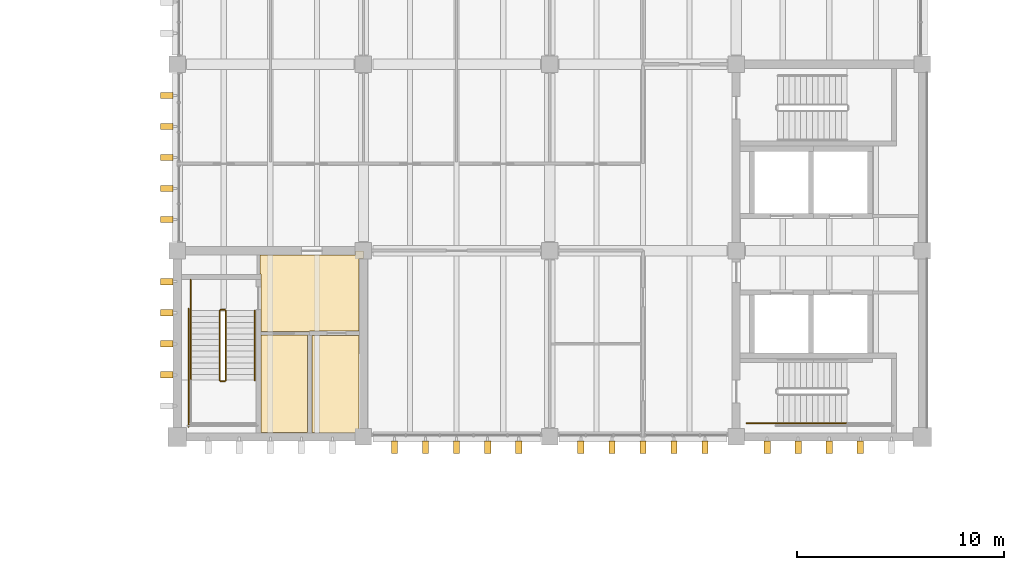
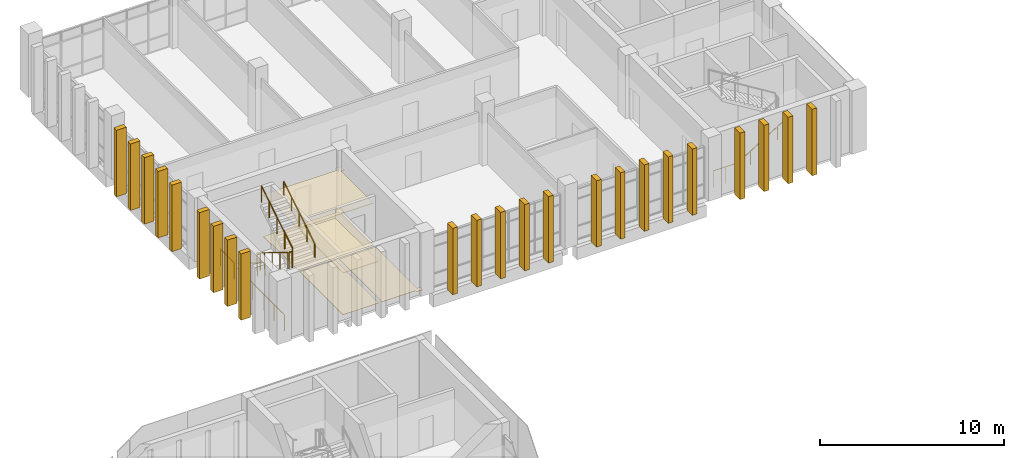
# One storey, part 47 of 50: 23 shading devices, 10 railings, 5 coverings.
"""IFC4 building model written with IfcOpenShell, lengths in metres."""

from ifc_helpers import new_model, si_unit, direction, frame, origin, origin_2d, place, context, subcontext, project, spatial, polyline, circle, outline, extrude, source, transform, mapped, material, layer, layer_set, type_object, element, save


model = new_model("IFC4")

# Units and contexts
model_context = context("Model", 3, precision=1e-05, world=origin(), true_north=direction((0.0, 1.0)))
body_context = subcontext(model_context, "Body", "Model", "MODEL_VIEW")
ifc_project = project(units=[si_unit("LENGTHUNIT", "METRE"), si_unit("AREAUNIT", "SQUARE_METRE"), si_unit("VOLUMEUNIT", "CUBIC_METRE"), si_unit("PLANEANGLEUNIT", "RADIAN"), si_unit("MASSUNIT", "GRAM", prefix="KILO")], contexts=[model_context])

# Site, building, storey
site_placement = place(None, origin())
site = spatial("IfcSite", under=ifc_project, at=site_placement, CompositionType="ELEMENT")
building_placement = place(site_placement, origin())
building = spatial("IfcBuilding", under=site, at=building_placement, Name="Merrow Basin Faculty of Sciences", CompositionType="ELEMENT")
storey_placement = place(building_placement, frame((0.0, 0.0, 18.0)))
storey = spatial("IfcBuildingStorey", under=building, at=storey_placement, Name="L04", CompositionType="ELEMENT", Elevation=18.0)

# Coverings
ifc_material_1 = material(Name="Carpet tile floor")
ifc_layer_1 = layer(ifc_material_1, 0.02001953125)
ifc_layer_set_1 = layer_set([ifc_layer_1], Name="Carpet tile floor")
covering_type_1 = type_object("IfcCoveringType", Name="Carpet tile floor", PredefinedType="FLOORING", material=ifc_layer_set_1)
covering_1_placement = place(storey_placement, origin())
element("IfcCovering", 1, at=covering_1_placement, inside=storey, type_object=covering_type_1, Name="Floor finish L04-T-011", PredefinedType="FLOORING", context=body_context, shape_type="SweptSolid", body=[
    extrude(outline(polyline([(26.989990234375, 142.110107421875), (26.610107421875, 142.110107421875), (26.610107421875, 142.2099609375), (24.510009765625, 142.2099609375), (24.510009765625, 146.889892578125), (26.7900390625, 146.889892578125), (26.7900390625, 142.389892578125), (26.989990234375, 142.389892578125), (26.989990234375, 142.110107421875)])), origin(), (0.0, 0.0, 1.0), 0.02001953125),
])
ifc_material_2 = material(Name="Ceramic floor tile")
ifc_layer_2 = layer(ifc_material_2, 0.02001953125)
ifc_layer_set_2 = layer_set([ifc_layer_2], Name="Ceramic floor tile")
covering_type_2 = type_object("IfcCoveringType", Name="Ceramic floor tile", PredefinedType="FLOORING", material=ifc_layer_set_2)
covering_2_placement = place(storey_placement, origin())
element("IfcCovering", 2, at=covering_2_placement, inside=storey, type_object=covering_type_2, Name="Floor finish L04-T-010", PredefinedType="FLOORING", context=body_context, shape_type="SweptSolid", body=[
    extrude(outline(polyline([(22.06005859375, 146.9150390625), (24.2900390625, 146.9150390625), (24.2900390625, 142.2099609375), (22.06005859375, 142.2099609375), (22.06005859375, 146.9150390625)])), origin(), (0.0, 0.0, 1.0), 0.02001953125),
])
ifc_material_3 = material(Name="Polished terrazzo floor")
ifc_layer_3 = layer(ifc_material_3, 0.02001953125)
ifc_layer_set_3 = layer_set([ifc_layer_3], Name="Polished terrazzo floor")
covering_type_3 = type_object("IfcCoveringType", Name="Polished terrazzo floor", PredefinedType="FLOORING", material=ifc_layer_set_3)
covering_3_placement = place(storey_placement, origin())
element("IfcCovering", 3, at=covering_3_placement, inside=storey, type_object=covering_type_3, Name="Floor finish L04-T-009", PredefinedType="FLOORING", context=body_context, shape_type="SweptSolid", body=[
    extrude(outline(polyline([(26.989990234375, 150.989990234375), (26.989990234375, 150.610107421875), (26.7900390625, 150.610107421875), (26.7900390625, 147.110107421875), (24.389892578125, 147.110107421875), (24.389892578125, 147.0849609375), (22.06005859375, 147.0849609375), (22.06005859375, 149.860107421875), (22.010009765625, 149.860107421875), (22.010009765625, 150.7900390625), (26.610107421875, 150.7900390625), (26.610107421875, 150.989990234375), (26.989990234375, 150.989990234375)])), origin(), (0.0, 0.0, 1.0), 0.02001953125),
])

# Railings
ifc_material_4 = material(Name="Steel ASTM A36", Category="steel")
railing_type_1 = type_object("IfcRailingType", Name="Steel guard 1100", PredefinedType="GUARDRAIL", material=ifc_material_4)
railing_1_placement = place(storey_placement, frame((45.5, 142.64990234375, 0.0)))
element("IfcRailing", 4, at=railing_1_placement, inside=storey, type_object=railing_type_1, Name="L04 ST-V5-N stair guard 6", PredefinedType="GUARDRAIL", context=body_context, shape_type="SweptSolid", body=[
    extrude(circle(Radius=0.02392578125, at=origin_2d()), frame((0.0, 0.0, 1.076171875), z_axis=(1.0, 0.0, 0.0), x_axis=(0.0, 1.0, 0.0)), (0.0, 0.0, 1.0), 1.5),
    extrude(circle(Radius=0.02099609375, at=origin_2d()), origin(), (0.0, 0.0, 1.0), 1.052001953125),
    extrude(circle(Radius=0.02099609375, at=origin_2d()), frame((0.75, 0.0, 0.0)), (0.0, 0.0, 1.0), 1.052001953125),
    extrude(circle(Radius=0.02099609375, at=origin_2d()), frame((1.5, 0.0, 0.0)), (0.0, 0.0, 1.0), 1.052001953125),
])
railing_2_placement = place(storey_placement, frame((20.050048828125, 148.10009765625, 0.173095703125)))
element("IfcRailing", 5, at=railing_2_placement, inside=storey, type_object=railing_type_1, Name="L04 ST-V5-W stair guard 1", PredefinedType="GUARDRAIL", context=body_context, shape_type="SweptSolid", body=[
    extrude(circle(Radius=0.02392578125, at=origin_2d()), frame((0.0, 0.0, 1.076171875), z_axis=(0.0, -0.850623216509, 0.525775754039), x_axis=(1.0, 0.0, 0.0)), (0.0, 0.0, 1.0), 3.9501953125),
    extrude(circle(Radius=0.02099609375, at=origin_2d()), origin(), (0.0, 0.0, 1.0), 1.052001953125),
    extrude(circle(Radius=0.02099609375, at=origin_2d()), frame((0.0, -0.840087890625, 0.519287109375)), (0.0, 0.0, 1.0), 1.052001953125),
    extrude(circle(Radius=0.02099609375, at=origin_2d()), frame((0.0, -1.68017578125, 1.03857421875)), (0.0, 0.0, 1.0), 1.052001953125),
    extrude(circle(Radius=0.02099609375, at=origin_2d()), frame((0.0, -2.52001953125, 1.5576171875)), (0.0, 0.0, 1.0), 1.052001953125),
    extrude(circle(Radius=0.02099609375, at=origin_2d()), frame((0.0, -3.360107421875, 2.076904296875)), (0.0, 0.0, 1.0), 1.052001953125),
])
railing_3_placement = place(storey_placement, frame((20.10009765625, 144.68994140625, 2.25)))
element("IfcRailing", 6, at=railing_3_placement, inside=storey, type_object=railing_type_1, Name="L04 ST-V5-W stair guard 2", PredefinedType="GUARDRAIL", context=body_context, shape_type="SweptSolid", body=[
    extrude(circle(Radius=0.02392578125, at=origin_2d()), frame((0.0, 0.0, 1.076171875), z_axis=(1.0, 0.0, 0.0), x_axis=(0.0, 1.0, 0.0)), (0.0, 0.0, 1.0), 0.199951171875),
    extrude(circle(Radius=0.02099609375, at=origin_2d()), origin(), (0.0, 0.0, 1.0), 1.052001953125),
    extrude(circle(Radius=0.02099609375, at=origin_2d()), frame((0.199951171875, 0.0, 0.0)), (0.0, 0.0, 1.0), 1.052001953125),
])
railing_4_placement = place(storey_placement, frame((20.35009765625, 144.739990234375, 2.423095703125)))
element("IfcRailing", 7, at=railing_4_placement, inside=storey, type_object=railing_type_1, Name="L04 ST-V5-W stair guard 5", PredefinedType="GUARDRAIL", context=body_context, shape_type="SweptSolid", body=[
    extrude(circle(Radius=0.02392578125, at=origin_2d()), frame((0.0, 0.0, 1.076171875), z_axis=(0.0, 0.850623216509, 0.525775754039), x_axis=(-1.0, 0.0, 0.0)), (0.0, 0.0, 1.0), 3.9501953125),
    extrude(circle(Radius=0.02099609375, at=origin_2d()), origin(), (0.0, 0.0, 1.0), 1.052001953125),
    extrude(circle(Radius=0.02099609375, at=origin_2d()), frame((0.0, 0.840087890625, 0.519287109375)), (0.0, 0.0, 1.0), 1.052001953125),
    extrude(circle(Radius=0.02099609375, at=origin_2d()), frame((0.0, 1.68017578125, 1.03857421875)), (0.0, 0.0, 1.0), 1.052001953125),
    extrude(circle(Radius=0.02099609375, at=origin_2d()), frame((0.0, 2.52001953125, 1.5576171875)), (0.0, 0.0, 1.0), 1.052001953125),
    extrude(circle(Radius=0.02099609375, at=origin_2d()), frame((0.0, 3.360107421875, 2.076904296875)), (0.0, 0.0, 1.0), 1.052001953125),
])
railing_5_placement = place(storey_placement, frame((20.10009765625, 148.14990234375, 0.0)))
element("IfcRailing", 8, at=railing_5_placement, inside=storey, type_object=railing_type_1, Name="L04 ST-V5-W stair guard 6", PredefinedType="GUARDRAIL", context=body_context, shape_type="SweptSolid", body=[
    extrude(circle(Radius=0.02392578125, at=origin_2d()), frame((0.0, 0.0, 1.076171875), z_axis=(1.0, 0.0, 0.0), x_axis=(0.0, 1.0, 0.0)), (0.0, 0.0, 1.0), 0.199951171875),
    extrude(circle(Radius=0.02099609375, at=origin_2d()), origin(), (0.0, 0.0, 1.0), 1.052001953125),
    extrude(circle(Radius=0.02099609375, at=origin_2d()), frame((0.199951171875, 0.0, 0.0)), (0.0, 0.0, 1.0), 1.052001953125),
])
railing_6_placement = place(storey_placement, frame((18.64990234375, 149.60009765625, 0.0)))
element("IfcRailing", 9, at=railing_6_placement, inside=storey, type_object=railing_type_1, Name="L04 ST-V5-W stair guard 7", PredefinedType="GUARDRAIL", context=body_context, shape_type="SweptSolid", body=[
    extrude(circle(Radius=0.02392578125, at=origin_2d()), frame((0.0, 0.0, 1.076171875), z_axis=(0.0, -1.0, 0.0), x_axis=(1.0, 0.0, 0.0)), (0.0, 0.0, 1.0), 1.5),
    extrude(circle(Radius=0.02099609375, at=origin_2d()), origin(), (0.0, 0.0, 1.0), 1.052001953125),
    extrude(circle(Radius=0.02099609375, at=origin_2d()), frame((0.0, -0.75, 0.0)), (0.0, 0.0, 1.0), 1.052001953125),
    extrude(circle(Radius=0.02099609375, at=origin_2d()), frame((0.0, -1.5, 0.0)), (0.0, 0.0, 1.0), 1.052001953125),
])
railing_7_placement = place(storey_placement, frame((18.550048828125, 148.199951171875, 0.0)))
element("IfcRailing", 10, at=railing_7_placement, inside=storey, type_object=railing_type_1, Name="L04 ST-V5-W stair guard 8", PredefinedType="GUARDRAIL", context=body_context, shape_type="SweptSolid", body=[
    extrude(circle(Radius=0.02392578125, at=origin_2d()), frame((0.0, 0.0, 1.076171875), z_axis=(0.0, -1.0, 0.0), x_axis=(1.0, 0.0, 0.0)), (0.0, 0.0, 1.0), 5.699951171875),
    extrude(circle(Radius=0.02099609375, at=origin_2d()), origin(), (0.0, 0.0, 1.0), 1.052001953125),
    extrude(circle(Radius=0.02099609375, at=origin_2d()), frame((0.0, -1.139892578125, 0.0)), (0.0, 0.0, 1.0), 1.052001953125),
    extrude(circle(Radius=0.02099609375, at=origin_2d()), frame((0.0, -2.280029296875, 0.0)), (0.0, 0.0, 1.0), 1.052001953125),
    extrude(circle(Radius=0.02099609375, at=origin_2d()), frame((0.0, -3.419921875, 0.0)), (0.0, 0.0, 1.0), 1.052001953125),
    extrude(circle(Radius=0.02099609375, at=origin_2d()), frame((0.0, -4.56005859375, 0.0)), (0.0, 0.0, 1.0), 1.052001953125),
    extrude(circle(Radius=0.02099609375, at=origin_2d()), frame((0.0, -5.699951171875, 0.0)), (0.0, 0.0, 1.0), 1.052001953125),
])
ifc_material_5 = material(Name="Steel ASTM A36", Category="steel")
railing_type_2 = type_object("IfcRailingType", Name="Steel handrail 900", PredefinedType="HANDRAIL", material=ifc_material_5)
railing_8_placement = place(storey_placement, frame((47.0, 142.64990234375, 0.173095703125)))
element("IfcRailing", 11, at=railing_8_placement, inside=storey, type_object=railing_type_2, Name="L04 ST-V5-N stair handrail 1", PredefinedType="HANDRAIL", context=body_context, shape_type="SweptSolid", body=[
    extrude(circle(Radius=0.02392578125, at=origin_2d()), frame((0.0, 0.0, 0.8759765625), z_axis=(0.850623216509, 0.0, 0.525775754039), x_axis=(0.0, 1.0, 0.0)), (0.0, 0.0, 1.0), 3.9501953125),
    extrude(circle(Radius=0.02099609375, at=origin_2d()), origin(), (0.0, 0.0, 1.0), 0.851806640625),
    extrude(circle(Radius=0.02099609375, at=origin_2d()), frame((0.840087890625, 0.0, 0.519287109375)), (0.0, 0.0, 1.0), 0.851806640625),
    extrude(circle(Radius=0.02099609375, at=origin_2d()), frame((1.68017578125, 0.0, 1.03857421875)), (0.0, 0.0, 1.0), 0.851806640625),
    extrude(circle(Radius=0.02099609375, at=origin_2d()), frame((2.52001953125, 0.0, 1.5576171875)), (0.0, 0.0, 1.0), 0.851806640625),
    extrude(circle(Radius=0.02099609375, at=origin_2d()), frame((3.360107421875, 0.0, 2.076904296875)), (0.0, 0.0, 1.0), 0.851806640625),
])
railing_9_placement = place(storey_placement, frame((18.64990234375, 148.10009765625, 0.173095703125)))
element("IfcRailing", 12, at=railing_9_placement, inside=storey, type_object=railing_type_2, Name="L04 ST-V5-W stair handrail 1", PredefinedType="HANDRAIL", context=body_context, shape_type="SweptSolid", body=[
    extrude(circle(Radius=0.02392578125, at=origin_2d()), frame((0.0, 0.0, 0.8759765625), z_axis=(0.0, -0.850623216509, 0.525775754039), x_axis=(1.0, 0.0, 0.0)), (0.0, 0.0, 1.0), 3.9501953125),
    extrude(circle(Radius=0.02099609375, at=origin_2d()), origin(), (0.0, 0.0, 1.0), 0.851806640625),
    extrude(circle(Radius=0.02099609375, at=origin_2d()), frame((0.0, -0.840087890625, 0.519287109375)), (0.0, 0.0, 1.0), 0.851806640625),
    extrude(circle(Radius=0.02099609375, at=origin_2d()), frame((0.0, -1.68017578125, 1.03857421875)), (0.0, 0.0, 1.0), 0.851806640625),
    extrude(circle(Radius=0.02099609375, at=origin_2d()), frame((0.0, -2.52001953125, 1.5576171875)), (0.0, 0.0, 1.0), 0.851806640625),
    extrude(circle(Radius=0.02099609375, at=origin_2d()), frame((0.0, -3.360107421875, 2.076904296875)), (0.0, 0.0, 1.0), 0.851806640625),
])
railing_10_placement = place(storey_placement, frame((21.75, 144.739990234375, 2.423095703125)))
element("IfcRailing", 13, at=railing_10_placement, inside=storey, type_object=railing_type_2, Name="L04 ST-V5-W stair handrail 2", PredefinedType="HANDRAIL", context=body_context, shape_type="SweptSolid", body=[
    extrude(circle(Radius=0.02392578125, at=origin_2d()), frame((0.0, 0.0, 0.8759765625), z_axis=(0.0, 0.850623216509, 0.525775754039), x_axis=(-1.0, 0.0, 0.0)), (0.0, 0.0, 1.0), 3.9501953125),
    extrude(circle(Radius=0.02099609375, at=origin_2d()), origin(), (0.0, 0.0, 1.0), 0.851806640625),
    extrude(circle(Radius=0.02099609375, at=origin_2d()), frame((0.0, 0.840087890625, 0.519287109375)), (0.0, 0.0, 1.0), 0.851806640625),
    extrude(circle(Radius=0.02099609375, at=origin_2d()), frame((0.0, 1.68017578125, 1.03857421875)), (0.0, 0.0, 1.0), 0.851806640625),
    extrude(circle(Radius=0.02099609375, at=origin_2d()), frame((0.0, 2.52001953125, 1.5576171875)), (0.0, 0.0, 1.0), 0.851806640625),
    extrude(circle(Radius=0.02099609375, at=origin_2d()), frame((0.0, 3.360107421875, 2.076904296875)), (0.0, 0.0, 1.0), 0.851806640625),
])

# Coverings
ifc_material_6 = material(Name="Mineral fibre ceiling tile")
ifc_layer_4 = layer(ifc_material_6, 0.050048828125)
ifc_layer_set_4 = layer_set([ifc_layer_4], Name="Suspended acoustic ceiling tile")
covering_type_4 = type_object("IfcCoveringType", Name="Suspended acoustic ceiling tile", PredefinedType="CEILING", material=ifc_layer_set_4)
covering_4_placement = place(storey_placement, frame((0.0, 0.0, 2.75)))
element("IfcCovering", 14, at=covering_4_placement, inside=storey, type_object=covering_type_4, Name="Ceiling L04-T-009", PredefinedType="CEILING", context=body_context, shape_type="SweptSolid", body=[
    extrude(outline(polyline([(26.989990234375, 150.989990234375), (26.989990234375, 150.610107421875), (26.7900390625, 150.610107421875), (26.7900390625, 147.110107421875), (24.389892578125, 147.110107421875), (24.389892578125, 147.0849609375), (22.06005859375, 147.0849609375), (22.06005859375, 149.860107421875), (22.010009765625, 149.860107421875), (22.010009765625, 150.7900390625), (26.610107421875, 150.7900390625), (26.610107421875, 150.989990234375), (26.989990234375, 150.989990234375)])), origin(), (0.0, 0.0, 1.0), 0.050048828125),
])
covering_5_placement = place(storey_placement, frame((0.0, 0.0, 2.75)))
element("IfcCovering", 15, at=covering_5_placement, inside=storey, type_object=covering_type_4, Name="Ceiling L04-T-010", PredefinedType="CEILING", context=body_context, shape_type="SweptSolid", body=[
    extrude(outline(polyline([(22.06005859375, 146.9150390625), (24.2900390625, 146.9150390625), (24.2900390625, 142.2099609375), (22.06005859375, 142.2099609375), (22.06005859375, 146.9150390625)])), origin(), (0.0, 0.0, 1.0), 0.050048828125),
])

# Shading devices
ifc_material_7 = material(Name="White precast concrete C50/60", Category="concrete")
shading_device_type = type_object("IfcShadingDeviceType", Name="White precast fin 300 x 600", PredefinedType="USERDEFINED", material=ifc_material_7)
shared_shape = source(origin(), body_context, "Body", "SweptSolid", [
    extrude(outline(polyline([(0.0, 0.0), (0.300048828125, 0.0), (0.300048828125, 4.39990234375), (0.0, 4.39990234375), (0.0, 0.0)])), origin(), (0.0, 0.0, 1.0), 0.60009765625),
])
for number, where, z_axis, x_axis, name in (
    (16, (28.35009765625, 141.800048828125, -0.25), (0.0, -1.0, 0.0), (1.0, 0.0, 0.0), "Brise-soleil fin SL04"),
    (17, (29.85009765625, 141.800048828125, -0.25), (0.0, -1.0, 0.0), (1.0, 0.0, 0.0), "Brise-soleil fin SL04"),
    (18, (31.35009765625, 141.800048828125, -0.25), (0.0, -1.0, 0.0), (1.0, 0.0, 0.0), "Brise-soleil fin SL04"),
    (19, (32.85009765625, 141.800048828125, -0.25), (0.0, -1.0, 0.0), (1.0, 0.0, 0.0), "Brise-soleil fin SL04"),
    (20, (34.35009765625, 141.800048828125, -0.25), (0.0, -1.0, 0.0), (1.0, 0.0, 0.0), "Brise-soleil fin SL04"),
    (21, (37.35009765625, 141.800048828125, -0.25), (0.0, -1.0, 0.0), (1.0, 0.0, 0.0), "Brise-soleil fin SL04"),
    (22, (38.85009765625, 141.800048828125, -0.25), (0.0, -1.0, 0.0), (1.0, 0.0, 0.0), "Brise-soleil fin SL04"),
    (23, (40.35009765625, 141.800048828125, -0.25), (0.0, -1.0, 0.0), (1.0, 0.0, 0.0), "Brise-soleil fin SL04"),
    (24, (41.85009765625, 141.800048828125, -0.25), (0.0, -1.0, 0.0), (1.0, 0.0, 0.0), "Brise-soleil fin SL04"),
    (25, (43.35009765625, 141.800048828125, -0.25), (0.0, -1.0, 0.0), (1.0, 0.0, 0.0), "Brise-soleil fin SL04"),
    (26, (46.35009765625, 141.800048828125, -0.25), (0.0, -1.0, 0.0), (1.0, 0.0, 0.0), "Brise-soleil fin SL04"),
    (27, (47.85009765625, 141.800048828125, -0.25), (0.0, -1.0, 0.0), (1.0, 0.0, 0.0), "Brise-soleil fin SL04"),
    (28, (49.35009765625, 141.800048828125, -0.25), (0.0, -1.0, 0.0), (1.0, 0.0, 0.0), "Brise-soleil fin SL04"),
    (29, (50.85009765625, 141.800048828125, -0.25), (0.0, -1.0, 0.0), (1.0, 0.0, 0.0), "Brise-soleil fin SL04"),
    (30, (17.800048828125, 145.14990234375, -0.25), (-1.0, 0.0, 0.0), (0.0, -1.0, 0.0), "Brise-soleil fin WL04"),
    (31, (17.800048828125, 146.64990234375, -0.25), (-1.0, 0.0, 0.0), (0.0, -1.0, 0.0), "Brise-soleil fin WL04"),
    (32, (17.800048828125, 148.14990234375, -0.25), (-1.0, 0.0, 0.0), (0.0, -1.0, 0.0), "Brise-soleil fin WL04"),
    (33, (17.800048828125, 149.64990234375, -0.25), (-1.0, 0.0, 0.0), (0.0, -1.0, 0.0), "Brise-soleil fin WL04"),
    (34, (17.800048828125, 152.64990234375, -0.25), (-1.0, 0.0, 0.0), (0.0, -1.0, 0.0), "Brise-soleil fin WL04"),
    (35, (17.800048828125, 154.14990234375, -0.25), (-1.0, 0.0, 0.0), (0.0, -1.0, 0.0), "Brise-soleil fin WL04"),
    (36, (17.800048828125, 155.64990234375, -0.25), (-1.0, 0.0, 0.0), (0.0, -1.0, 0.0), "Brise-soleil fin WL04"),
    (37, (17.800048828125, 157.14990234375, -0.25), (-1.0, 0.0, 0.0), (0.0, -1.0, 0.0), "Brise-soleil fin WL04"),
    (38, (17.800048828125, 158.64990234375, -0.25), (-1.0, 0.0, 0.0), (0.0, -1.0, 0.0), "Brise-soleil fin WL04"),
):
    element("IfcShadingDevice", number, at=place(storey_placement, frame(where, z_axis=z_axis, x_axis=x_axis)), inside=storey, type_object=shading_device_type, Name=name, ObjectType="FIN", PredefinedType="USERDEFINED", context=body_context, shape_type="MappedRepresentation", body=[
        mapped(shared_shape, transform((0.0, 0.0, 0.0), scale=1.0)),
    ])

save(model, "model.ifc")
